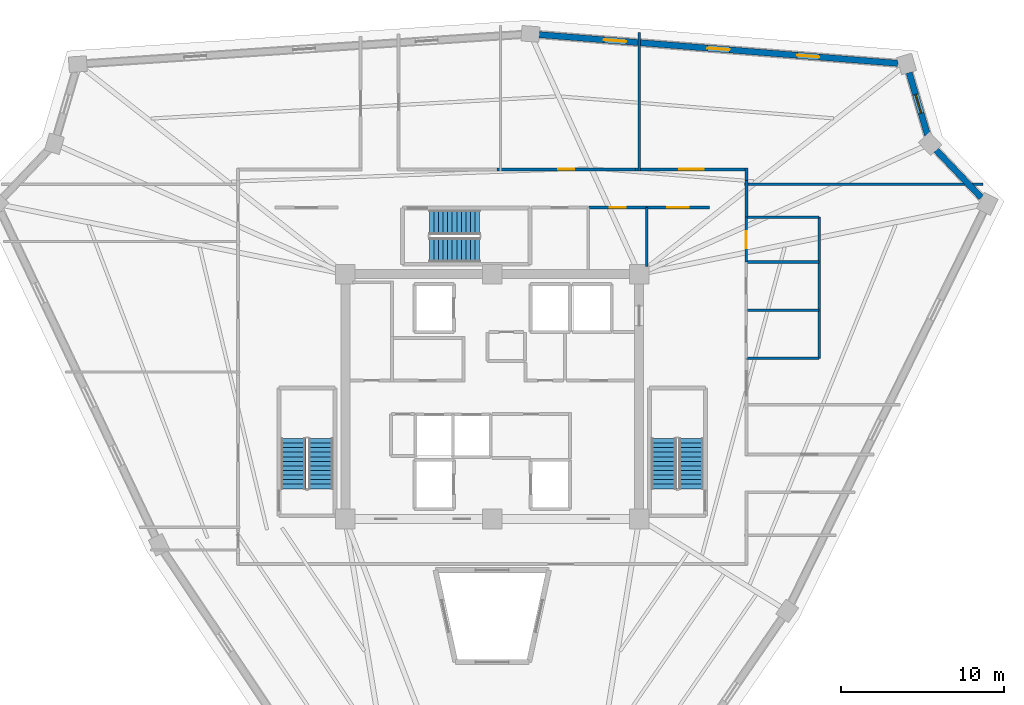
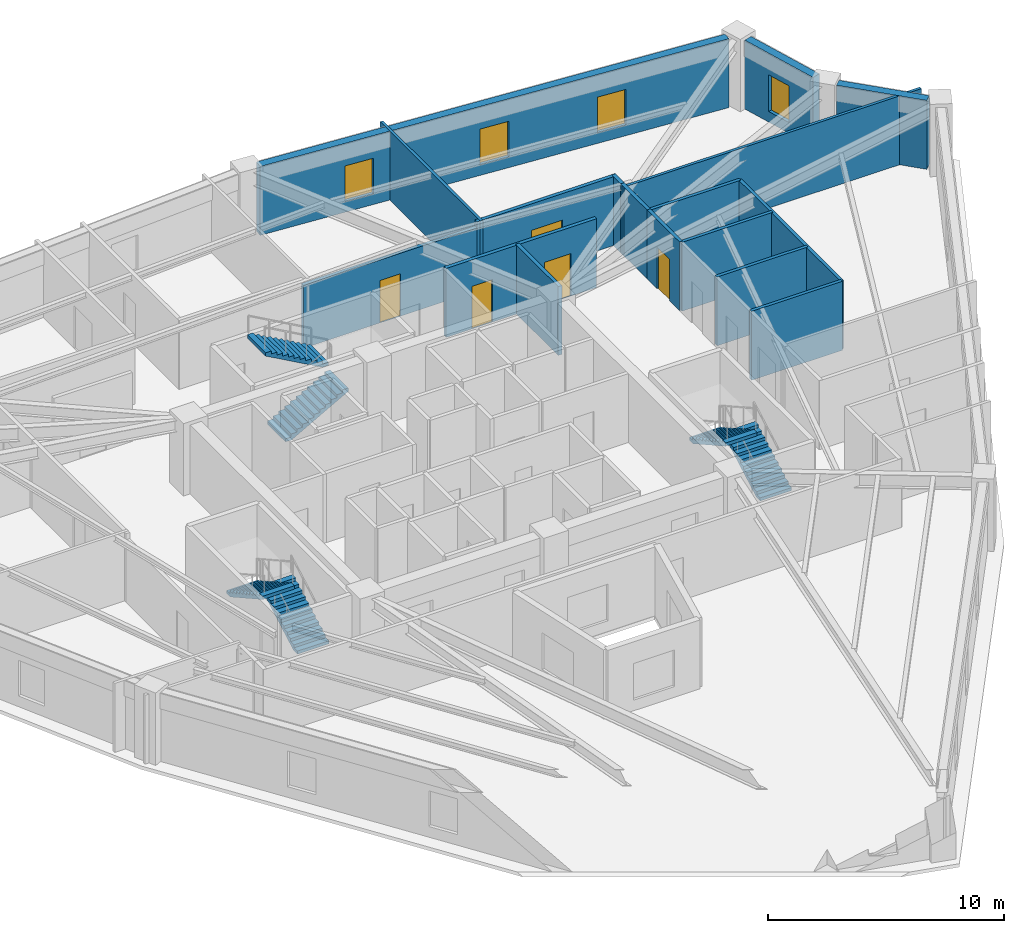
# One storey, part 7 of 8: 18 walls, 6 stair flights, 5 doors, 4 windows, 9 openings, 3 elements without a shape of their own.
"""IFC4 building model written with IfcOpenShell, lengths in metres."""

from ifc_helpers import new_model, si_unit, direction, frame, frame_2d, origin, place, context, subcontext, project, spatial, polyline, rectangle, outline, extrude, source, transform, mapped, material, layer, layer_set, type_object, element, fill, aggregate, save


model = new_model("IFC4")

# Units and contexts
model_context = context("Model", 3, precision=1e-05, world=origin(), true_north=direction((0.0, 1.0)))
body_context = subcontext(model_context, "Body", "Model", "MODEL_VIEW")
ifc_project = project(units=[si_unit("LENGTHUNIT", "METRE"), si_unit("AREAUNIT", "SQUARE_METRE"), si_unit("VOLUMEUNIT", "CUBIC_METRE"), si_unit("PLANEANGLEUNIT", "RADIAN"), si_unit("MASSUNIT", "GRAM", prefix="KILO")], contexts=[model_context])

# Site, building, storey
site_placement = place(None, origin())
site = spatial("IfcSite", under=ifc_project, at=site_placement, CompositionType="ELEMENT")
building_placement = place(site_placement, origin())
building = spatial("IfcBuilding", under=site, at=building_placement, Name="Liaohun Quay Tower", CompositionType="ELEMENT")
storey_placement = place(building_placement, frame((0.0, 0.0, 301.5)))
storey = spatial("IfcBuildingStorey", under=building, at=storey_placement, Name="L78", CompositionType="ELEMENT", Elevation=301.5)

# Wall
ifc_material_1 = material(Name="Precast concrete C50 insulated sandwich", Category="concrete")
ifc_layer_1 = layer(ifc_material_1, 0.3798828125, Name="Precast concrete C50 insulated sandwich", Category="concrete")
ifc_layer_set_1 = layer_set([ifc_layer_1], Name="Precast concrete C50 insulated sandwich")
wall_type_1 = type_object("IfcWallType", Name="WAL-EXT-Z34", PredefinedType="SOLIDWALL", material=ifc_layer_set_1)
wall_1_placement = place(storey_placement, frame((89.94189453125, 66.18994140625, 0.0), z_axis=(0.0, 0.0, 1.0), x_axis=(-0.689222359841, 0.724549886961, 0.0)))
element("IfcWall", 1, at=wall_1_placement, inside=storey, type_object=wall_type_1, Name="L78 Brutalist Precast Pier Wall 04", PredefinedType="SOLIDWALL", context=body_context, shape_type="SweptSolid", body=[
    extrude(rectangle(XDim=4.001220703125, YDim=0.3798828125, at=frame_2d((2.00048828125, 0.0))), origin(), (0.0, 0.0, 1.0), 3.570068359375),
])

# Wall, opening, window
wall_2_placement = place(storey_placement, frame((86.658935546875, 69.998046875, 0.0), z_axis=(0.0, 0.0, 1.0), x_axis=(-0.2823872674, 0.959300490571, 0.0)))
wall_2 = element("IfcWall", 2, at=wall_2_placement, inside=storey, type_object=wall_type_1, Name="L78 Brutalist Precast Pier Wall 05", PredefinedType="SOLIDWALL", context=body_context, shape_type="SweptSolid", body=[
    extrude(rectangle(XDim=4.008056640625, YDim=0.3798828125, at=frame_2d((2.00390625, 0.0))), origin(), (0.0, 0.0, 1.0), 3.570068359375),
])
shared_shape_1 = source(origin(), body_context, "Body", "SweptSolid", [
    extrude(rectangle(XDim=1.199951171875, YDim=1.89990234375, at=frame_2d((0.60009765625, 0.949951171875))), frame((0.0, 0.199951171875, 0.0), z_axis=(0.0, -1.0, 0.0), x_axis=(1.0, 0.0, 0.0)), (0.0, 0.0, 1.0), 0.39990234375),
])
opening_1_placement = place(wall_2_placement, frame((1.404052734375, 0.0, 0.550048828125)))
opening_1 = element("IfcOpeningElement", 3, at=opening_1_placement, cuts=wall_2, Name="Opening W05", PredefinedType="OPENING", context=body_context, shape_type="MappedRepresentation", body=[
    mapped(shared_shape_1, transform((0.0, 0.0, 0.0), x_axis=(1.0, 0.0, 0.0), y_axis=(0.0, 1.0, 0.0), z_axis=(0.0, 0.0, 1.0), scale=1.0)),
])
ifc_material_2 = material(Name="Triple Low-E corner notch glazing", Category="glass")
window_type_1 = type_object("IfcWindowType", Name="WIN-NOTCH", PartitioningType="SINGLE_PANEL", PredefinedType="WINDOW", material=ifc_material_2)
shared_shape_2 = source(origin(), body_context, "Body", "SweptSolid", [
    extrude(rectangle(XDim=1.199951171875, YDim=1.89990234375, at=frame_2d((0.60009765625, 0.949951171875))), frame((0.0, 0.030029296875, 0.0), z_axis=(0.0, -1.0, 0.0), x_axis=(1.0, 0.0, 0.0)), (0.0, 0.0, 1.0), 0.06005859375),
])
window_1_placement = place(opening_1_placement, origin())
window_1 = element("IfcWindow", 4, at=window_1_placement, inside=storey, type_object=window_type_1, Name="L78 Corner Notch Window W05-05", OverallHeight=1.89990234375, OverallWidth=1.199951171875, PartitioningType="SINGLE_PANEL", PredefinedType="WINDOW", context=body_context, shape_type="MappedRepresentation", body=[
    mapped(shared_shape_2, transform((0.0, 0.0, 0.0), x_axis=(1.0, 0.0, 0.0), y_axis=(0.0, 1.0, 0.0), z_axis=(0.0, 0.0, 1.0), scale=1.0)),
])
fill(opening_1, window_1)

# Wall, openings, windows
wall_3_placement = place(storey_placement, frame((84.8359375, 74.404052734375, 0.0), z_axis=(0.0, 0.0, 1.0), x_axis=(-0.996807769303, 0.079839032169, 0.0)))
wall_3 = element("IfcWall", 5, at=wall_3_placement, inside=storey, type_object=wall_type_1, Name="L78 Brutalist Precast Pier Wall 06", PredefinedType="SOLIDWALL", context=body_context, shape_type="SweptSolid", body=[
    extrude(rectangle(XDim=22.0322265625, YDim=0.3798828125, at=frame_2d((11.01611328125, 0.0))), origin(), (0.0, 0.0, 1.0), 3.570068359375),
])
shared_shape_3 = source(origin(), body_context, "Body", "SweptSolid", [
    extrude(rectangle(XDim=1.35009765625, YDim=1.85009765625, at=frame_2d((0.675048828125, 0.925048828125))), frame((0.0, 0.199951171875, 0.0), z_axis=(0.0, -1.0, 0.0), x_axis=(1.0, 0.0, 0.0)), (0.0, 0.0, 1.0), 0.39990234375),
])
opening_2_placement = place(wall_3_placement, frame((4.8330078125, 0.0, 0.550048828125)))
opening_2 = element("IfcOpeningElement", 6, at=opening_2_placement, cuts=wall_3, Name="Opening W04", PredefinedType="OPENING", context=body_context, shape_type="MappedRepresentation", body=[
    mapped(shared_shape_3, transform((0.0, 0.0, 0.0), x_axis=(1.0, 0.0, 0.0), y_axis=(0.0, 1.0, 0.0), z_axis=(0.0, 0.0, 1.0), scale=1.0)),
])
opening_3_placement = place(wall_3_placement, frame((10.341064453125, 0.0, 0.550048828125)))
opening_3 = element("IfcOpeningElement", 7, at=opening_3_placement, cuts=wall_3, Name="Opening W04", PredefinedType="OPENING", context=body_context, shape_type="MappedRepresentation", body=[
    mapped(shared_shape_3, transform((0.0, 0.0, 0.0), x_axis=(1.0, 0.0, 0.0), y_axis=(0.0, 1.0, 0.0), z_axis=(0.0, 0.0, 1.0), scale=1.0)),
])
opening_4_placement = place(wall_3_placement, frame((16.698974609375, 0.0, 0.550048828125)))
opening_4 = element("IfcOpeningElement", 8, at=opening_4_placement, cuts=wall_3, Name="Opening W04", PredefinedType="OPENING", context=body_context, shape_type="MappedRepresentation", body=[
    mapped(shared_shape_3, transform((0.0, 0.0, 0.0), x_axis=(1.0, 0.0, 0.0), y_axis=(0.0, 1.0, 0.0), z_axis=(0.0, 0.0, 1.0), scale=1.0)),
])
ifc_material_3 = material(Name="Triple Low-E argon glazing in thermally broken aluminium", Category="aluminium")
window_type_2 = type_object("IfcWindowType", Name="WIN-PUN-Z4", PartitioningType="SINGLE_PANEL", PredefinedType="WINDOW", material=ifc_material_3)
shared_shape_4 = source(origin(), body_context, "Body", "SweptSolid", [
    extrude(rectangle(XDim=1.35009765625, YDim=1.85009765625, at=frame_2d((0.675048828125, 0.925048828125))), frame((0.0, 0.030029296875, 0.0), z_axis=(0.0, -1.0, 0.0), x_axis=(1.0, 0.0, 0.0)), (0.0, 0.0, 1.0), 0.06005859375),
])
window_2_placement = place(opening_2_placement, origin())
window_2 = element("IfcWindow", 9, at=window_2_placement, inside=storey, type_object=window_type_2, Name="L78 Recessed Cold-Climate Punched Window 06-1", OverallHeight=1.85009765625, OverallWidth=1.35009765625, PartitioningType="SINGLE_PANEL", PredefinedType="WINDOW", context=body_context, shape_type="MappedRepresentation", body=[
    mapped(shared_shape_4, transform((0.0, 0.0, 0.0), x_axis=(1.0, 0.0, 0.0), y_axis=(0.0, 1.0, 0.0), z_axis=(0.0, 0.0, 1.0), scale=1.0)),
])
fill(opening_2, window_2)
window_3_placement = place(opening_3_placement, origin())
window_3 = element("IfcWindow", 10, at=window_3_placement, inside=storey, type_object=window_type_2, Name="L78 Recessed Cold-Climate Punched Window 06-2", OverallHeight=1.85009765625, OverallWidth=1.35009765625, PartitioningType="SINGLE_PANEL", PredefinedType="WINDOW", context=body_context, shape_type="MappedRepresentation", body=[
    mapped(shared_shape_4, transform((0.0, 0.0, 0.0), x_axis=(1.0, 0.0, 0.0), y_axis=(0.0, 1.0, 0.0), z_axis=(0.0, 0.0, 1.0), scale=1.0)),
])
fill(opening_3, window_3)
window_4_placement = place(opening_4_placement, origin())
window_4 = element("IfcWindow", 11, at=window_4_placement, inside=storey, type_object=window_type_2, Name="L78 Recessed Cold-Climate Punched Window 06-3", OverallHeight=1.85009765625, OverallWidth=1.35009765625, PartitioningType="SINGLE_PANEL", PredefinedType="WINDOW", context=body_context, shape_type="MappedRepresentation", body=[
    mapped(shared_shape_4, transform((0.0, 0.0, 0.0), x_axis=(1.0, 0.0, 0.0), y_axis=(0.0, 1.0, 0.0), z_axis=(0.0, 0.0, 1.0), scale=1.0)),
])
fill(opening_4, window_4)

# Wall, opening, door
ifc_material_4 = material(Name="Autoclaved aerated concrete blockwork", Category="masonry")
ifc_layer_2 = layer(ifc_material_4, 0.179931640625, Name="Autoclaved aerated concrete blockwork", Category="masonry")
ifc_layer_set_2 = layer_set([ifc_layer_2], Name="Autoclaved aerated concrete blockwork")
wall_type_2 = type_object("IfcWallType", Name="WAL-PRT-COR", PredefinedType="PARTITIONING", material=ifc_layer_set_2)
wall_4_placement = place(storey_placement, frame((65.919921875, 65.580078125, 0.0), z_axis=(0.0, 0.0, 1.0), x_axis=(1.0, 0.0, 0.0)))
wall_4 = element("IfcWall", 12, at=wall_4_placement, inside=storey, type_object=wall_type_2, Name="L78 Interior Partition Wall 012", PredefinedType="PARTITIONING", context=body_context, shape_type="SweptSolid", body=[
    extrude(rectangle(XDim=3.5400390625, YDim=0.179931640625, at=frame_2d((1.77001953125, 0.0))), origin(), (0.0, 0.0, 1.0), 3.570068359375),
])
shared_shape_5 = source(origin(), body_context, "Body", "SweptSolid", [
    extrude(rectangle(XDim=1.0, YDim=2.199951171875, at=frame_2d((0.5, 1.10009765625))), frame((0.0, 0.099853515625, 0.0), z_axis=(0.0, -1.0, 0.0), x_axis=(1.0, 0.0, 0.0)), (0.0, 0.0, 1.0), 0.199951171875),
])
opening_5_placement = place(wall_4_placement, frame((1.27001953125, 0.0, 0.0)))
opening_5 = element("IfcOpeningElement", 13, at=opening_5_placement, cuts=wall_4, Name="Opening OD1", PredefinedType="OPENING", context=body_context, shape_type="MappedRepresentation", body=[
    mapped(shared_shape_5, transform((0.0, 0.0, 0.0), x_axis=(1.0, 0.0, 0.0), y_axis=(0.0, 1.0, 0.0), z_axis=(0.0, 0.0, 1.0), scale=1.0)),
])
ifc_material_5 = material(Name="Solid-core oak veneer timber leaf in steel frame", Category="steel")
door_type_1 = type_object("IfcDoorType", Name="DOR-OFF-1000", OperationType="NOTDEFINED", PredefinedType="DOOR", material=ifc_material_5)
shared_shape_6 = source(origin(), body_context, "Body", "SweptSolid", [
    extrude(rectangle(XDim=1.0, YDim=2.199951171875, at=frame_2d((0.5, 1.10009765625))), frame((0.0, 0.02490234375, 0.0), z_axis=(0.0, -1.0, 0.0), x_axis=(1.0, 0.0, 0.0)), (0.0, 0.0, 1.0), 0.050048828125),
])
door_1_placement = place(opening_5_placement, origin())
door_1 = element("IfcDoor", 14, at=door_1_placement, inside=storey, type_object=door_type_1, Name="L78 North-East Pantry Room Door", OperationType="SINGLE_SWING_RIGHT", OverallHeight=2.199951171875, OverallWidth=1.0, PredefinedType="DOOR", context=body_context, shape_type="MappedRepresentation", body=[
    mapped(shared_shape_6, transform((0.0, 0.0, 0.0), x_axis=(1.0, 0.0, 0.0), y_axis=(0.0, 1.0, 0.0), z_axis=(0.0, 0.0, 1.0), scale=1.0)),
])
fill(opening_5, door_1)

wall_5_placement = place(storey_placement, frame((69.4599609375, 65.580078125, 0.0), z_axis=(0.0, 0.0, 1.0), x_axis=(1.0, 0.0, 0.0)))
wall_5 = element("IfcWall", 15, at=wall_5_placement, inside=storey, type_object=wall_type_2, Name="L78 Interior Partition Wall 014", PredefinedType="PARTITIONING", context=body_context, shape_type="SweptSolid", body=[
    extrude(rectangle(XDim=3.840087890625, YDim=0.179931640625, at=frame_2d((1.919921875, 0.0))), origin(), (0.0, 0.0, 1.0), 3.570068359375),
])
shared_shape_7 = source(origin(), body_context, "Body", "SweptSolid", [
    extrude(rectangle(XDim=1.300048828125, YDim=2.199951171875, at=frame_2d((0.64990234375, 1.10009765625))), frame((0.0, 0.099853515625, 0.0), z_axis=(0.0, -1.0, 0.0), x_axis=(1.0, 0.0, 0.0)), (0.0, 0.0, 1.0), 0.199951171875),
])
opening_6_placement = place(wall_5_placement, frame((1.27001953125, 0.0, 0.0)))
opening_6 = element("IfcOpeningElement", 16, at=opening_6_placement, cuts=wall_5, Name="Opening FD1", PredefinedType="OPENING", context=body_context, shape_type="MappedRepresentation", body=[
    mapped(shared_shape_7, transform((0.0, 0.0, 0.0), x_axis=(1.0, 0.0, 0.0), y_axis=(0.0, 1.0, 0.0), z_axis=(0.0, 0.0, 1.0), scale=1.0)),
])
ifc_material_6 = material(Name="Galvanised steel smokeproof fire door", Category="steel")
door_type_2 = type_object("IfcDoorType", Name="DOR-FFL-1300", OperationType="NOTDEFINED", PredefinedType="DOOR", material=ifc_material_6)
shared_shape_8 = source(origin(), body_context, "Body", "SweptSolid", [
    extrude(rectangle(XDim=1.300048828125, YDim=2.199951171875, at=frame_2d((0.64990234375, 1.10009765625))), frame((0.0, 0.02490234375, 0.0), z_axis=(0.0, -1.0, 0.0), x_axis=(1.0, 0.0, 0.0)), (0.0, 0.0, 1.0), 0.050048828125),
])
door_2_placement = place(opening_6_placement, origin())
door_2 = element("IfcDoor", 17, at=door_2_placement, inside=storey, type_object=door_type_2, Name="L78 East Core Vestibule Door", OperationType="SINGLE_SWING_RIGHT", OverallHeight=2.199951171875, OverallWidth=1.300048828125, PredefinedType="DOOR", context=body_context, shape_type="MappedRepresentation", body=[
    mapped(shared_shape_8, transform((0.0, 0.0, 0.0), x_axis=(1.0, 0.0, 0.0), y_axis=(0.0, 1.0, 0.0), z_axis=(0.0, 0.0, 1.0), scale=1.0)),
])
fill(opening_6, door_2)

wall_6_placement = place(storey_placement, frame((68.784912109375, 67.909912109375, 0.0), z_axis=(0.0, 0.0, 1.0), x_axis=(1.0, 0.0, 0.0)))
wall_6 = element("IfcWall", 18, at=wall_6_placement, inside=storey, type_object=wall_type_2, Name="L78 Interior Partition Wall 016", PredefinedType="PARTITIONING", context=body_context, shape_type="SweptSolid", body=[
    extrude(rectangle(XDim=6.844970703125, YDim=0.179931640625, at=frame_2d((3.42236328125, 0.0))), origin(), (0.0, 0.0, 1.0), 3.570068359375),
])
shared_shape_9 = source(origin(), body_context, "Body", "SweptSolid", [
    extrude(rectangle(XDim=1.5, YDim=2.199951171875, at=frame_2d((0.75, 1.10009765625))), frame((0.0, 0.099853515625, 0.0), z_axis=(0.0, -1.0, 0.0), x_axis=(1.0, 0.0, 0.0)), (0.0, 0.0, 1.0), 0.199951171875),
])
opening_7_placement = place(wall_6_placement, frame((2.672119140625, 0.0, 0.0)))
opening_7 = element("IfcOpeningElement", 19, at=opening_7_placement, cuts=wall_6, Name="Opening OD2", PredefinedType="OPENING", context=body_context, shape_type="MappedRepresentation", body=[
    mapped(shared_shape_9, transform((0.0, 0.0, 0.0), x_axis=(1.0, 0.0, 0.0), y_axis=(0.0, 1.0, 0.0), z_axis=(0.0, 0.0, 1.0), scale=1.0)),
])
ifc_material_7 = material(Name="Acoustic oak veneer double door")
door_type_3 = type_object("IfcDoorType", Name="DOR-OFF-1500", OperationType="DOUBLE_DOOR_SINGLE_SWING", PredefinedType="DOOR", material=ifc_material_7)
shared_shape_10 = source(origin(), body_context, "Body", "SweptSolid", [
    extrude(rectangle(XDim=1.5, YDim=2.199951171875, at=frame_2d((0.75, 1.10009765625))), frame((0.0, 0.02490234375, 0.0), z_axis=(0.0, -1.0, 0.0), x_axis=(1.0, 0.0, 0.0)), (0.0, 0.0, 1.0), 0.050048828125),
])
door_3_placement = place(opening_7_placement, origin())
door_3 = element("IfcDoor", 20, at=door_3_placement, inside=storey, type_object=door_type_3, Name="L78 Client Collaboration Lounge 02 Door", OperationType="DOUBLE_DOOR_SINGLE_SWING", OverallHeight=2.199951171875, OverallWidth=1.5, PredefinedType="DOOR", context=body_context, shape_type="MappedRepresentation", body=[
    mapped(shared_shape_10, transform((0.0, 0.0, 0.0), x_axis=(1.0, 0.0, 0.0), y_axis=(0.0, 1.0, 0.0), z_axis=(0.0, 0.0, 1.0), scale=1.0)),
])
fill(opening_7, door_3)

wall_7_placement = place(storey_placement, frame((60.284912109375, 67.909912109375, 0.0), z_axis=(0.0, 0.0, 1.0), x_axis=(1.0, 0.0, 0.0)))
wall_7 = element("IfcWall", 21, at=wall_7_placement, inside=storey, type_object=wall_type_2, Name="L78 Interior Partition Wall 017", PredefinedType="PARTITIONING", context=body_context, shape_type="SweptSolid", body=[
    extrude(rectangle(XDim=8.5, YDim=0.179931640625, at=frame_2d((4.25, 0.0))), origin(), (0.0, 0.0, 1.0), 3.260986328125),
])
opening_8_placement = place(wall_7_placement, frame((3.75, 0.0, 0.0)))
opening_8 = element("IfcOpeningElement", 22, at=opening_8_placement, cuts=wall_7, Name="Opening OD1", PredefinedType="OPENING", context=body_context, shape_type="MappedRepresentation", body=[
    mapped(shared_shape_5, transform((0.0, 0.0, 0.0), x_axis=(1.0, 0.0, 0.0), y_axis=(0.0, 1.0, 0.0), z_axis=(0.0, 0.0, 1.0), scale=1.0)),
])
door_4_placement = place(opening_8_placement, origin())
door_4 = element("IfcDoor", 23, at=door_4_placement, inside=storey, type_object=door_type_1, Name="L78 Engineering Model Workshop 03 Door", OperationType="SINGLE_SWING_LEFT", OverallHeight=2.199951171875, OverallWidth=1.0, PredefinedType="DOOR", context=body_context, shape_type="MappedRepresentation", body=[
    mapped(shared_shape_6, transform((0.0, 0.0, 0.0), x_axis=(1.0, 0.0, 0.0), y_axis=(0.0, 1.0, 0.0), z_axis=(0.0, 0.0, 1.0), scale=1.0)),
])
fill(opening_8, door_4)

# Walls
wall_8_placement = place(storey_placement, frame((69.4599609375, 61.949951171875, 0.0), z_axis=(0.0, 0.0, 1.0), x_axis=(0.0, 1.0, 0.0)))
element("IfcWall", 24, at=wall_8_placement, inside=storey, type_object=wall_type_2, Name="L78 Interior Partition Wall 039", PredefinedType="PARTITIONING", context=body_context, shape_type="SweptSolid", body=[
    extrude(rectangle(XDim=3.630126953125, YDim=0.179931640625, at=frame_2d((1.81494140625, 0.0))), origin(), (0.0, 0.0, 1.0), 3.570068359375),
])
wall_9_placement = place(storey_placement, frame((75.56005859375, 67.215087890625, 0.0), z_axis=(0.0, 0.0, 1.0), x_axis=(0.0, -1.0, 0.0)))
element("IfcWall", 25, at=wall_9_placement, inside=storey, type_object=wall_type_2, Name="L78 Interior Partition Wall 040", PredefinedType="PARTITIONING", context=body_context, shape_type="SweptSolid", body=[
    extrude(rectangle(XDim=2.235107421875, YDim=0.179931640625, at=frame_2d((1.11767578125, 0.0))), origin(), (0.0, 0.0, 1.0), 3.570068359375),
])
wall_10_placement = place(storey_placement, frame((75.56005859375, 67.97998046875, 0.0), z_axis=(0.0, 0.0, 1.0), x_axis=(0.0, -1.0, 0.0)))
element("IfcWall", 26, at=wall_10_placement, inside=storey, type_object=wall_type_2, Name="L78 Interior Partition Wall 041", PredefinedType="PARTITIONING", context=body_context, shape_type="SweptSolid", body=[
    extrude(rectangle(XDim=0.764892578125, YDim=0.179931640625, at=frame_2d((0.38232421875, 0.0))), origin(), (0.0, 0.0, 1.0), 3.570068359375),
])
ifc_material_8 = material(Name="Gypsum board on twin steel studs", Category="steel")
ifc_layer_3 = layer(ifc_material_8, 0.139892578125, Name="Gypsum board on twin steel studs", Category="steel")
ifc_layer_set_3 = layer_set([ifc_layer_3], Name="Gypsum board on twin steel studs")
wall_type_3 = type_object("IfcWallType", Name="WAL-PRT-OFF", PredefinedType="PARTITIONING", material=ifc_layer_set_3)
wall_11_placement = place(storey_placement, frame((75.4599609375, 67.0, 0.0), z_axis=(0.0, 0.0, 1.0), x_axis=(1.0, 0.0, 0.0)))
element("IfcWall", 27, at=wall_11_placement, inside=storey, type_object=wall_type_3, Name="L78 Interior Partition Wall 056", PredefinedType="PARTITIONING", context=body_context, shape_type="SweptSolid", body=[
    extrude(rectangle(XDim=14.5810546875, YDim=0.139892578125, at=frame_2d((7.29052734375, 0.0))), origin(), (0.0, 0.0, 1.0), 3.570068359375),
])
wall_12_placement = place(storey_placement, frame((69.0, 67.81005859375, 0.0), z_axis=(0.0, 0.0, 1.0), x_axis=(0.0, 1.0, 0.0)))
element("IfcWall", 28, at=wall_12_placement, inside=storey, type_object=wall_type_3, Name="L78 Interior Partition Wall 058", PredefinedType="PARTITIONING", context=body_context, shape_type="SweptSolid", body=[
    extrude(rectangle(XDim=8.493896484375, YDim=0.139892578125, at=frame_2d((4.2470703125, 0.0))), origin(), (0.0, 0.0, 1.0), 3.570068359375),
])

# Wall, opening, door
ifc_material_9 = material(Name="Moisture-resistant masonry blockwork", Category="masonry")
ifc_layer_4 = layer(ifc_material_9, 0.159912109375, Name="Moisture-resistant masonry blockwork", Category="masonry")
ifc_layer_set_4 = layer_set([ifc_layer_4], Name="Moisture-resistant masonry blockwork")
wall_type_4 = type_object("IfcWallType", Name="WAL-PRT-WET", PredefinedType="PARTITIONING", material=ifc_layer_set_4)
wall_13_placement = place(storey_placement, frame((75.56005859375, 62.239990234375, 0.0), z_axis=(0.0, 0.0, 1.0), x_axis=(0.0, 1.0, 0.0)))
wall_13 = element("IfcWall", 29, at=wall_13_placement, inside=storey, type_object=wall_type_4, Name="L78 Interior Partition Wall 010", PredefinedType="PARTITIONING", context=body_context, shape_type="SweptSolid", body=[
    extrude(rectangle(XDim=2.739990234375, YDim=0.159912109375, at=frame_2d((1.3701171875, 0.0))), origin(), (0.0, 0.0, 1.0), 3.570068359375),
])
shared_shape_11 = source(origin(), body_context, "Body", "SweptSolid", [
    extrude(rectangle(XDim=1.050048828125, YDim=2.14990234375, at=frame_2d((0.52490234375, 1.074951171875))), frame((0.0, 0.08984375, 0.0), z_axis=(0.0, -1.0, 0.0), x_axis=(1.0, 0.0, 0.0)), (0.0, 0.0, 1.0), 0.179931640625),
])
opening_9_placement = place(wall_13_placement, frame((0.844970703125, 0.0, 0.0)))
opening_9 = element("IfcOpeningElement", 30, at=opening_9_placement, cuts=wall_13, Name="Opening WD2", PredefinedType="OPENING", context=body_context, shape_type="MappedRepresentation", body=[
    mapped(shared_shape_11, transform((0.0, 0.0, 0.0), x_axis=(1.0, 0.0, 0.0), y_axis=(0.0, 1.0, 0.0), z_axis=(0.0, 0.0, 1.0), scale=1.0)),
])
ifc_material_10 = material(Name="Accessible outward-swinging laminate door")
door_type_4 = type_object("IfcDoorType", Name="DOR-AWC-1050", OperationType="NOTDEFINED", PredefinedType="DOOR", material=ifc_material_10)
shared_shape_12 = source(origin(), body_context, "Body", "SweptSolid", [
    extrude(rectangle(XDim=1.050048828125, YDim=2.14990234375, at=frame_2d((0.52490234375, 1.074951171875))), frame((0.0, 0.02490234375, 0.0), z_axis=(0.0, -1.0, 0.0), x_axis=(1.0, 0.0, 0.0)), (0.0, 0.0, 1.0), 0.050048828125),
])
door_5_placement = place(opening_9_placement, origin())
door_5 = element("IfcDoor", 31, at=door_5_placement, inside=storey, type_object=door_type_4, Name="L78 Accessible WC Door", OperationType="SINGLE_SWING_RIGHT", OverallHeight=2.14990234375, OverallWidth=1.050048828125, PredefinedType="DOOR", context=body_context, shape_type="MappedRepresentation", body=[
    mapped(shared_shape_12, transform((0.0, 0.0, 0.0), x_axis=(1.0, 0.0, 0.0), y_axis=(0.0, 1.0, 0.0), z_axis=(0.0, 0.0, 1.0), scale=1.0)),
])
fill(opening_9, door_5)

# Walls
wall_14_placement = place(storey_placement, frame((80.02001953125, 56.340087890625, 0.0), z_axis=(0.0, 0.0, 1.0), x_axis=(0.0, 1.0, 0.0)))
element("IfcWall", 32, at=wall_14_placement, inside=storey, type_object=wall_type_4, Name="L78 Interior Partition Wall 033", PredefinedType="PARTITIONING", context=body_context, shape_type="SweptSolid", body=[
    extrude(rectangle(XDim=8.639892578125, YDim=0.159912109375, at=frame_2d((4.31982421875, 0.0))), origin(), (0.0, 0.0, 1.0), 3.570068359375),
])
for number, where, z_axis, x_axis, name in (
    (33, (75.56005859375, 56.340087890625, 0.0), (0.0, 0.0, 1.0), (1.0, 0.0, 0.0), "L78 Interior Partition Wall 034"),
    (34, (75.56005859375, 59.280029296875, 0.0), (0.0, 0.0, 1.0), (1.0, 0.0, 0.0), "L78 Interior Partition Wall 035"),
    (35, (75.56005859375, 62.239990234375, 0.0), (0.0, 0.0, 1.0), (1.0, 0.0, 0.0), "L78 Interior Partition Wall 036"),
    (36, (75.56005859375, 64.97998046875, 0.0), (0.0, 0.0, 1.0), (1.0, 0.0, 0.0), "L78 Interior Partition Wall 037"),
):
    element("IfcWall", number, at=place(storey_placement, frame(where, z_axis=z_axis, x_axis=x_axis)), inside=storey, type_object=wall_type_4, Name=name, PredefinedType="PARTITIONING", context=body_context, shape_type="SweptSolid", body=[
        extrude(rectangle(XDim=4.4599609375, YDim=0.159912109375, at=frame_2d((2.22998046875, 0.0))), origin(), (0.0, 0.0, 1.0), 3.570068359375),
    ])

# Stair, stair flights
ifc_material_11 = material(Name="Concrete C45", Category="concrete")
stair_type = type_object("IfcStairType", Name="STR-CORE-OFF", PredefinedType="HALF_TURN_STAIR", material=ifc_material_11)
stair_1_placement = place(storey_placement, origin())
stair_1 = element("IfcStair", 37, at=stair_1_placement, inside=storey, type_object=stair_type, Name="L78 Smokeproof Core Exit Stair ST-1", PredefinedType="HALF_TURN_STAIR")
stair_flight_type = type_object("IfcStairFlightType", Name="FLT-CORE-155", PredefinedType="STRAIGHT", material=ifc_material_11)
stair_flight_1_placement = place(storey_placement, frame((49.5048828125, 48.35009765625, 0.0), z_axis=(0.0, 0.0, 1.0), x_axis=(0.0, 1.0, 0.0)))
stair_flight_1 = element("IfcStairFlight", 38, at=stair_flight_1_placement, type_object=stair_flight_type, Name="ST-1 flight 1", NumberOfRisers=12, NumberOfTreads=11, PredefinedType="STRAIGHT", RiserHeight=0.15625, TreadLength=0.28, context=body_context, shape_type="SweptSolid", body=[
    extrude(outline(polyline([(0.0, 0.0), (0.0, 0.15625), (0.280029296875, 0.15625), (0.280029296875, 0.3125), (0.56005859375, 0.3125), (0.56005859375, 0.46875), (0.840087890625, 0.46875), (0.840087890625, 0.625), (1.1201171875, 0.625), (1.1201171875, 0.78125), (1.39990234375, 0.78125), (1.39990234375, 0.9375), (1.679931640625, 0.9375), (1.679931640625, 1.09375), (1.9599609375, 1.09375), (1.9599609375, 1.25), (2.239990234375, 1.25), (2.239990234375, 1.40625), (2.52001953125, 1.40625), (2.52001953125, 1.5625), (2.800048828125, 1.5625), (2.800048828125, 1.71875), (3.080078125, 1.71875), (3.080078125, 1.875), (3.080078125, 1.547119140625), (0.3076171875, 0.0), (0.0, 0.0)])), frame((0.0, 0.77490234375, 0.0), z_axis=(0.0, -1.0, 0.0), x_axis=(1.0, 0.0, 0.0)), (0.0, 0.0, 1.0), 1.550048828125),
])
stair_flight_2_placement = place(storey_placement, frame((47.81494140625, 51.429931640625, 1.875), z_axis=(0.0, 0.0, 1.0), x_axis=(0.0, -1.0, 0.0)))
stair_flight_2 = element("IfcStairFlight", 39, at=stair_flight_2_placement, type_object=stair_flight_type, Name="ST-1 flight 2", NumberOfRisers=12, NumberOfTreads=11, PredefinedType="STRAIGHT", RiserHeight=0.15625, TreadLength=0.28, context=body_context, shape_type="SweptSolid", body=[
    extrude(outline(polyline([(0.0, 0.0), (0.0, 0.15625), (0.280029296875, 0.15625), (0.280029296875, 0.3125), (0.56005859375, 0.3125), (0.56005859375, 0.46875), (0.840087890625, 0.46875), (0.840087890625, 0.625), (1.1201171875, 0.625), (1.1201171875, 0.78125), (1.39990234375, 0.78125), (1.39990234375, 0.9375), (1.679931640625, 0.9375), (1.679931640625, 1.09375), (1.9599609375, 1.09375), (1.9599609375, 1.25), (2.239990234375, 1.25), (2.239990234375, 1.40625), (2.52001953125, 1.40625), (2.52001953125, 1.5625), (2.800048828125, 1.5625), (2.800048828125, 1.71875), (3.080078125, 1.71875), (3.080078125, 1.875), (3.080078125, 1.547119140625), (0.3076171875, 0.0), (0.0, 0.0)])), frame((0.0, 0.77490234375, 0.0), z_axis=(0.0, -1.0, 0.0), x_axis=(1.0, 0.0, 0.0)), (0.0, 0.0, 1.0), 1.550048828125),
])
aggregate(stair_1, [stair_flight_1, stair_flight_2])

stair_2_placement = place(storey_placement, origin())
stair_2 = element("IfcStair", 40, at=stair_2_placement, inside=storey, type_object=stair_type, Name="L78 Smokeproof Core Exit Stair ST-2", PredefinedType="HALF_TURN_STAIR")
stair_flight_3_placement = place(storey_placement, frame((72.18505859375, 48.35009765625, 0.0), z_axis=(0.0, 0.0, 1.0), x_axis=(0.0, 1.0, 0.0)))
stair_flight_3 = element("IfcStairFlight", 41, at=stair_flight_3_placement, type_object=stair_flight_type, Name="ST-2 flight 1", NumberOfRisers=12, NumberOfTreads=11, PredefinedType="STRAIGHT", RiserHeight=0.15625, TreadLength=0.28, context=body_context, shape_type="SweptSolid", body=[
    extrude(outline(polyline([(0.0, 0.0), (0.0, 0.15625), (0.280029296875, 0.15625), (0.280029296875, 0.3125), (0.56005859375, 0.3125), (0.56005859375, 0.46875), (0.840087890625, 0.46875), (0.840087890625, 0.625), (1.1201171875, 0.625), (1.1201171875, 0.78125), (1.39990234375, 0.78125), (1.39990234375, 0.9375), (1.679931640625, 0.9375), (1.679931640625, 1.09375), (1.9599609375, 1.09375), (1.9599609375, 1.25), (2.239990234375, 1.25), (2.239990234375, 1.40625), (2.52001953125, 1.40625), (2.52001953125, 1.5625), (2.800048828125, 1.5625), (2.800048828125, 1.71875), (3.080078125, 1.71875), (3.080078125, 1.875), (3.080078125, 1.547119140625), (0.3076171875, 0.0), (0.0, 0.0)])), frame((0.0, 0.77490234375, 0.0), z_axis=(0.0, -1.0, 0.0), x_axis=(1.0, 0.0, 0.0)), (0.0, 0.0, 1.0), 1.550048828125),
])
stair_flight_4_placement = place(storey_placement, frame((70.4951171875, 51.429931640625, 1.875), z_axis=(0.0, 0.0, 1.0), x_axis=(0.0, -1.0, 0.0)))
stair_flight_4 = element("IfcStairFlight", 42, at=stair_flight_4_placement, type_object=stair_flight_type, Name="ST-2 flight 2", NumberOfRisers=12, NumberOfTreads=11, PredefinedType="STRAIGHT", RiserHeight=0.15625, TreadLength=0.28, context=body_context, shape_type="SweptSolid", body=[
    extrude(outline(polyline([(0.0, 0.0), (0.0, 0.15625), (0.280029296875, 0.15625), (0.280029296875, 0.3125), (0.56005859375, 0.3125), (0.56005859375, 0.46875), (0.840087890625, 0.46875), (0.840087890625, 0.625), (1.1201171875, 0.625), (1.1201171875, 0.78125), (1.39990234375, 0.78125), (1.39990234375, 0.9375), (1.679931640625, 0.9375), (1.679931640625, 1.09375), (1.9599609375, 1.09375), (1.9599609375, 1.25), (2.239990234375, 1.25), (2.239990234375, 1.40625), (2.52001953125, 1.40625), (2.52001953125, 1.5625), (2.800048828125, 1.5625), (2.800048828125, 1.71875), (3.080078125, 1.71875), (3.080078125, 1.875), (3.080078125, 1.547119140625), (0.3076171875, 0.0), (0.0, 0.0)])), frame((0.0, 0.77490234375, 0.0), z_axis=(0.0, -1.0, 0.0), x_axis=(1.0, 0.0, 0.0)), (0.0, 0.0, 1.0), 1.550048828125),
])
aggregate(stair_2, [stair_flight_3, stair_flight_4])

stair_3_placement = place(storey_placement, origin())
stair_3 = element("IfcStair", 43, at=stair_3_placement, inside=storey, type_object=stair_type, Name="L78 Smokeproof Core Exit Stair ST-3", PredefinedType="HALF_TURN_STAIR")
stair_flight_5_placement = place(storey_placement, frame((56.14990234375, 62.97509765625, 0.0), z_axis=(0.0, 0.0, 1.0), x_axis=(1.0, 0.0, 0.0)))
stair_flight_5 = element("IfcStairFlight", 44, at=stair_flight_5_placement, type_object=stair_flight_type, Name="ST-3 flight 1", NumberOfRisers=12, NumberOfTreads=11, PredefinedType="STRAIGHT", RiserHeight=0.15625, TreadLength=0.28, context=body_context, shape_type="SweptSolid", body=[
    extrude(outline(polyline([(0.0, 0.0), (0.0, 0.15625), (0.280029296875, 0.15625), (0.280029296875, 0.3125), (0.56005859375, 0.3125), (0.56005859375, 0.46875), (0.840087890625, 0.46875), (0.840087890625, 0.625), (1.1201171875, 0.625), (1.1201171875, 0.78125), (1.39990234375, 0.78125), (1.39990234375, 0.9375), (1.679931640625, 0.9375), (1.679931640625, 1.09375), (1.9599609375, 1.09375), (1.9599609375, 1.25), (2.239990234375, 1.25), (2.239990234375, 1.40625), (2.52001953125, 1.40625), (2.52001953125, 1.5625), (2.800048828125, 1.5625), (2.800048828125, 1.71875), (3.080078125, 1.71875), (3.080078125, 1.875), (3.080078125, 1.547119140625), (0.3076171875, 0.0), (0.0, 0.0)])), frame((0.0, 0.77490234375, 0.0), z_axis=(0.0, -1.0, 0.0), x_axis=(1.0, 0.0, 0.0)), (0.0, 0.0, 1.0), 1.550048828125),
])
stair_flight_6_placement = place(storey_placement, frame((59.22998046875, 64.6650390625, 1.875), z_axis=(0.0, 0.0, 1.0), x_axis=(-1.0, 0.0, 0.0)))
stair_flight_6 = element("IfcStairFlight", 45, at=stair_flight_6_placement, type_object=stair_flight_type, Name="ST-3 flight 2", NumberOfRisers=12, NumberOfTreads=11, PredefinedType="STRAIGHT", RiserHeight=0.15625, TreadLength=0.28, context=body_context, shape_type="SweptSolid", body=[
    extrude(outline(polyline([(0.0, 0.0), (0.0, 0.15625), (0.280029296875, 0.15625), (0.280029296875, 0.3125), (0.56005859375, 0.3125), (0.56005859375, 0.46875), (0.840087890625, 0.46875), (0.840087890625, 0.625), (1.1201171875, 0.625), (1.1201171875, 0.78125), (1.39990234375, 0.78125), (1.39990234375, 0.9375), (1.679931640625, 0.9375), (1.679931640625, 1.09375), (1.9599609375, 1.09375), (1.9599609375, 1.25), (2.239990234375, 1.25), (2.239990234375, 1.40625), (2.52001953125, 1.40625), (2.52001953125, 1.5625), (2.800048828125, 1.5625), (2.800048828125, 1.71875), (3.080078125, 1.71875), (3.080078125, 1.875), (3.080078125, 1.547119140625), (0.3076171875, 0.0), (0.0, 0.0)])), frame((0.0, 0.77490234375, 0.0), z_axis=(0.0, -1.0, 0.0), x_axis=(1.0, 0.0, 0.0)), (0.0, 0.0, 1.0), 1.550048828125),
])
aggregate(stair_3, [stair_flight_5, stair_flight_6])

save(model, "model.ifc")
